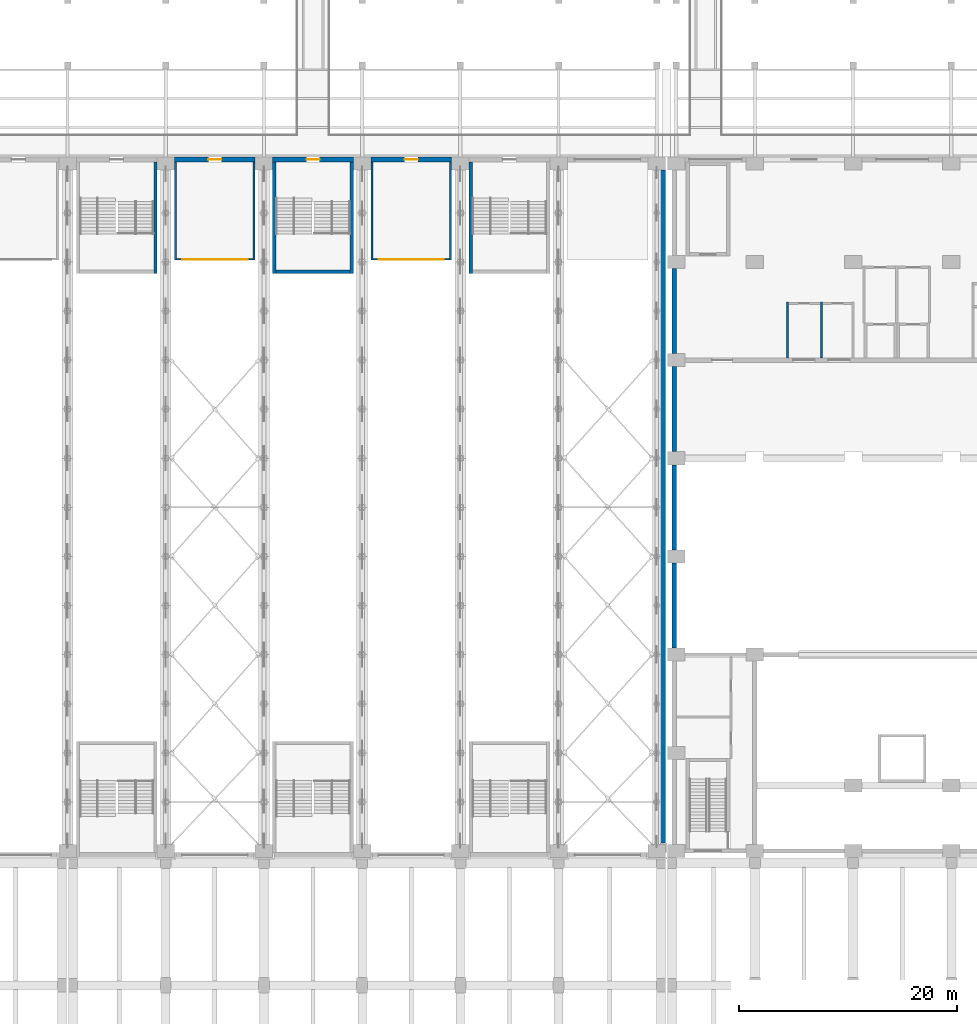
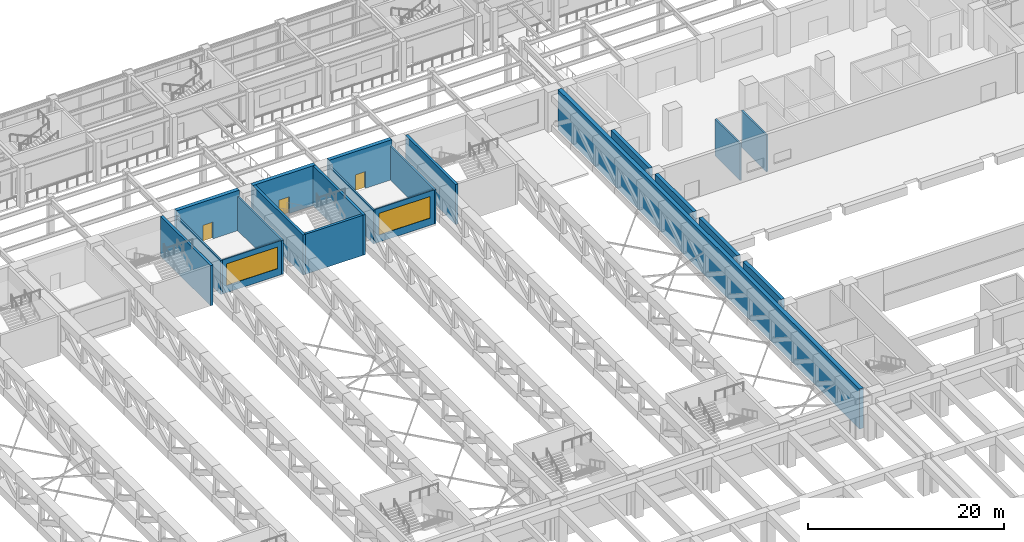
# One storey, part 36 of 76: 21 walls, 3 doors, 2 windows, 5 openings.
"""IFC4 building model written with IfcOpenShell, lengths in metres."""

from ifc_helpers import new_model, si_unit, direction, frame, frame_2d, origin, place, context, subcontext, project, spatial, rectangle, extrude, material, layer, layer_set, type_object, element, fill, save


model = new_model("IFC4")

# Units and contexts
model_context = context("Model", 3, precision=1e-05, world=origin(), true_north=direction((0.0, 1.0)))
body_context = subcontext(model_context, "Body", "Model", "MODEL_VIEW")
ifc_project = project(units=[si_unit("LENGTHUNIT", "METRE"), si_unit("AREAUNIT", "SQUARE_METRE"), si_unit("VOLUMEUNIT", "CUBIC_METRE"), si_unit("PLANEANGLEUNIT", "RADIAN"), si_unit("MASSUNIT", "GRAM", prefix="KILO")], contexts=[model_context])

# Site, building, storey
site_placement = place(None, origin())
site = spatial("IfcSite", under=ifc_project, at=site_placement, CompositionType="ELEMENT")
building_placement = place(site_placement, origin())
building = spatial("IfcBuilding", under=site, at=building_placement, Name="Aravalli Gate Trade Fair Centre", CompositionType="ELEMENT")
storey_placement = place(building_placement, frame((0.0, 0.0, 10.0)))
storey = spatial("IfcBuildingStorey", under=building, at=storey_placement, Name="L02", CompositionType="ELEMENT", Elevation=10.0)

# Walls
ifc_material_1 = material(Name="Concrete M40", Category="concrete")
ifc_layer_1 = layer(ifc_material_1, 0.25, Name="Structural wall")
ifc_material_2 = material(Name="Ventilated air cavity")
ifc_layer_2 = layer(ifc_material_2, 0.050048828125, ventilated=True, Name="Ventilated cavity")
ifc_material_3 = material(Name="Terracotta rainscreen", Category="masonry")
ifc_layer_3 = layer(ifc_material_3, 0.10009765625, Name="Rainscreen cladding")
ifc_layer_set_1 = layer_set([ifc_layer_1, ifc_layer_2, ifc_layer_3], Name="Congress external wall 400")
wall_type_1 = type_object("IfcWallType", Name="Congress external wall 400", PredefinedType="SOLIDWALL", material=ifc_layer_set_1)
for number, where, z_axis, x_axis, name in (
    (1, (106.60009765625, 64.60009765625, 0.0), (0.0, 0.0, 1.0), (0.0, 1.0, 0.0), "West wall L02 bay 3"),
    (2, (106.60009765625, 73.60009765625, 0.0), (0.0, 0.0, 1.0), (0.0, 1.0, 0.0), "West wall L02 bay 4"),
    (3, (106.60009765625, 82.60009765625, 0.0), (0.0, 0.0, 1.0), (0.0, 1.0, 0.0), "West wall L02 bay 5"),
    (4, (106.60009765625, 91.60009765625, 0.0), (0.0, 0.0, 1.0), (0.0, 1.0, 0.0), "West wall L02 bay 6"),
):
    element("IfcWall", number, at=place(storey_placement, frame(where, z_axis=z_axis, x_axis=x_axis)), inside=storey, type_object=wall_type_1, Name=name, PredefinedType="SOLIDWALL", context=body_context, shape_type="SweptSolid", body=[
        extrude(rectangle(XDim=7.7998046875, YDim=0.39990234375, at=frame_2d((3.89990234375, 0.0))), origin(), (0.0, 0.0, 1.0), 5.0),
    ])
ifc_material_4 = material(Name="Concrete block masonry", Category="masonry")
ifc_layer_4 = layer(ifc_material_4, 0.199951171875)
ifc_layer_set_2 = layer_set([ifc_layer_4], Name="Concrete block masonry")
wall_type_2 = type_object("IfcWallType", Name="Congress partition 200", PredefinedType="PARTITIONING", material=ifc_layer_set_2)
for number, where, z_axis, x_axis, name in (
    (5, (117.0, 91.199951171875, 0.0), (0.0, 0.0, 1.0), (0.0, 1.0, 0.0), "Interpreters booth wall 1"),
    (6, (120.10009765625, 91.199951171875, 0.0), (0.0, 0.0, 1.0), (0.0, 1.0, 0.0), "Interpreters booth wall 2"),
):
    element("IfcWall", number, at=place(storey_placement, frame(where, z_axis=z_axis, x_axis=x_axis)), inside=storey, type_object=wall_type_2, Name=name, PredefinedType="PARTITIONING", context=body_context, shape_type="SweptSolid", body=[
        extrude(rectangle(XDim=5.10009765625, YDim=0.199951171875, at=frame_2d((2.550048828125, 0.0))), origin(), (0.0, 0.0, 1.0), 4.60009765625),
    ])

# Wall, opening, door
ifc_layer_5 = layer(ifc_material_1, 0.25, Name="Structural wall")
ifc_layer_6 = layer(ifc_material_2, 0.10009765625, ventilated=True, Name="Ventilated cavity")
ifc_layer_7 = layer(ifc_material_3, 0.10009765625, Name="Rainscreen cladding")
ifc_layer_set_3 = layer_set([ifc_layer_5, ifc_layer_6, ifc_layer_7], Name="Hall external wall 450")
wall_type_3 = type_object("IfcWallType", Name="Hall external wall 450", PredefinedType="SOLIDWALL", material=ifc_layer_set_3)
wall_1_placement = place(storey_placement, frame((60.800048828125, 109.375, 0.0), z_axis=(0.0, 0.0, 1.0), x_axis=(1.0, 0.0, 0.0)))
wall_1 = element("IfcWall", 7, at=wall_1_placement, inside=storey, type_object=wall_type_3, Name="Hall north wall bay 7 L02", PredefinedType="SOLIDWALL", context=body_context, shape_type="SweptSolid", body=[
    extrude(rectangle(XDim=7.39990234375, YDim=0.449951171875, at=frame_2d((3.699951171875, 0.0))), origin(), (0.0, 0.0, 1.0), 5.0),
])
opening_1_placement = place(wall_1_placement, frame((3.10009765625, 0.0, 0.0)))
opening_1 = element("IfcOpeningElement", 8, at=opening_1_placement, cuts=wall_1, Name="Opening H-L02-08", PredefinedType="OPENING", context=body_context, shape_type="SweptSolid", body=[
    extrude(rectangle(XDim=1.199951171875, YDim=2.10009765625, at=frame_2d((0.60009765625, 1.050048828125))), frame((0.0, 0.23486328125, 0.0), z_axis=(0.0, -1.0, 0.0), x_axis=(1.0, 0.0, 0.0)), (0.0, 0.0, 1.0), 0.469970703125),
])
ifc_material_5 = material(Name="Steel", Category="steel")
door_type_1 = type_object("IfcDoorType", Name="Meeting room door FD60", OperationType="SINGLE_SWING_LEFT", PredefinedType="DOOR", material=ifc_material_5)
door_1_placement = place(opening_1_placement, frame((1.199951171875, 0.0, 0.0), z_axis=(0.0, 0.0, 1.0), x_axis=(-1.0, 0.0, 0.0)))
door_1 = element("IfcDoor", 9, at=door_1_placement, inside=storey, type_object=door_type_1, Name="Meeting room 9 door", OperationType="SINGLE_SWING_RIGHT", OverallHeight=2.10009765625, OverallWidth=1.199951171875, PredefinedType="DOOR", context=body_context, shape_type="SweptSolid", body=[
    extrude(rectangle(XDim=1.199951171875, YDim=2.10009765625, at=frame_2d((0.60009765625, 1.050048828125))), frame((0.0, 0.02490234375, 0.0), z_axis=(0.0, -1.0, 0.0), x_axis=(1.0, 0.0, 0.0)), (0.0, 0.0, 1.0), 0.050048828125),
])
fill(opening_1, door_1)

wall_2_placement = place(storey_placement, frame((69.800048828125, 109.375, 0.0), z_axis=(0.0, 0.0, 1.0), x_axis=(1.0, 0.0, 0.0)))
wall_2 = element("IfcWall", 10, at=wall_2_placement, inside=storey, type_object=wall_type_3, Name="Hall north wall bay 8 L02", PredefinedType="SOLIDWALL", context=body_context, shape_type="SweptSolid", body=[
    extrude(rectangle(XDim=7.39990234375, YDim=0.449951171875, at=frame_2d((3.699951171875, 0.0))), origin(), (0.0, 0.0, 1.0), 5.0),
])
opening_2_placement = place(wall_2_placement, frame((3.10009765625, 0.0, 0.0)))
opening_2 = element("IfcOpeningElement", 11, at=opening_2_placement, cuts=wall_2, Name="Opening H-L02-04", PredefinedType="OPENING", context=body_context, shape_type="SweptSolid", body=[
    extrude(rectangle(XDim=1.199951171875, YDim=2.10009765625, at=frame_2d((0.60009765625, 1.050048828125))), frame((0.0, 0.23486328125, 0.0), z_axis=(0.0, -1.0, 0.0), x_axis=(1.0, 0.0, 0.0)), (0.0, 0.0, 1.0), 0.469970703125),
])
door_type_2 = type_object("IfcDoorType", Name="Hall stair gallery door FD120", OperationType="SINGLE_SWING_LEFT", PredefinedType="DOOR", material=ifc_material_5)
door_2_placement = place(opening_2_placement, frame((1.199951171875, 0.0, 0.0), z_axis=(0.0, 0.0, 1.0), x_axis=(-1.0, 0.0, 0.0)))
door_2 = element("IfcDoor", 12, at=door_2_placement, inside=storey, type_object=door_type_2, Name="Stair door ST-N08 L02 gallery", OperationType="SINGLE_SWING_RIGHT", OverallHeight=2.10009765625, OverallWidth=1.199951171875, PredefinedType="DOOR", context=body_context, shape_type="SweptSolid", body=[
    extrude(rectangle(XDim=1.199951171875, YDim=2.10009765625, at=frame_2d((0.60009765625, 1.050048828125))), frame((0.0, 0.02490234375, 0.0), z_axis=(0.0, -1.0, 0.0), x_axis=(1.0, 0.0, 0.0)), (0.0, 0.0, 1.0), 0.050048828125),
])
fill(opening_2, door_2)

wall_3_placement = place(storey_placement, frame((78.800048828125, 109.375, 0.0), z_axis=(0.0, 0.0, 1.0), x_axis=(1.0, 0.0, 0.0)))
wall_3 = element("IfcWall", 13, at=wall_3_placement, inside=storey, type_object=wall_type_3, Name="Hall north wall bay 9 L02", PredefinedType="SOLIDWALL", context=body_context, shape_type="SweptSolid", body=[
    extrude(rectangle(XDim=7.39990234375, YDim=0.449951171875, at=frame_2d((3.699951171875, 0.0))), origin(), (0.0, 0.0, 1.0), 5.0),
])
opening_3_placement = place(wall_3_placement, frame((3.10009765625, 0.0, 0.0)))
opening_3 = element("IfcOpeningElement", 14, at=opening_3_placement, cuts=wall_3, Name="Opening H-L02-09", PredefinedType="OPENING", context=body_context, shape_type="SweptSolid", body=[
    extrude(rectangle(XDim=1.199951171875, YDim=2.10009765625, at=frame_2d((0.60009765625, 1.050048828125))), frame((0.0, 0.23486328125, 0.0), z_axis=(0.0, -1.0, 0.0), x_axis=(1.0, 0.0, 0.0)), (0.0, 0.0, 1.0), 0.469970703125),
])
door_3_placement = place(opening_3_placement, frame((1.199951171875, 0.0, 0.0), z_axis=(0.0, 0.0, 1.0), x_axis=(-1.0, 0.0, 0.0)))
door_3 = element("IfcDoor", 15, at=door_3_placement, inside=storey, type_object=door_type_1, Name="Meeting room 10 door", OperationType="SINGLE_SWING_LEFT", OverallHeight=2.10009765625, OverallWidth=1.199951171875, PredefinedType="DOOR", context=body_context, shape_type="SweptSolid", body=[
    extrude(rectangle(XDim=1.199951171875, YDim=2.10009765625, at=frame_2d((0.60009765625, 1.050048828125))), frame((0.0, 0.02490234375, 0.0), z_axis=(0.0, -1.0, 0.0), x_axis=(1.0, 0.0, 0.0)), (0.0, 0.0, 1.0), 0.050048828125),
])
fill(opening_3, door_3)

# Wall
wall_4_placement = place(storey_placement, frame((105.574951171875, 46.75, 0.0), z_axis=(0.0, 0.0, 1.0), x_axis=(0.0, 1.0, 0.0)))
element("IfcWall", 16, at=wall_4_placement, inside=storey, type_object=wall_type_3, Name="Hall east wall L02", PredefinedType="SOLIDWALL", context=body_context, shape_type="SweptSolid", body=[
    extrude(rectangle(XDim=61.64990234375, YDim=0.449951171875, at=frame_2d((30.824951171875, 0.0))), origin(), (0.0, 0.0, 1.0), 5.0),
])

# Wall, opening, window
ifc_material_6 = material(Name="Steel E350 (350 MPa)", Category="steel")
ifc_layer_8 = layer(ifc_material_6, 0.14990234375)
ifc_layer_set_4 = layer_set([ifc_layer_8], Name="Steel E350 (350 MPa)")
wall_type_4 = type_object("IfcWallType", Name="Meeting room glazed front wall 150", PredefinedType="PARTITIONING", material=ifc_layer_set_4)
wall_5_placement = place(storey_placement, frame((61.0, 100.22509765625, 0.0), z_axis=(0.0, 0.0, 1.0), x_axis=(1.0, 0.0, 0.0)))
wall_5 = element("IfcWall", 17, at=wall_5_placement, inside=storey, type_object=wall_type_4, Name="Meeting room 9 front wall", PredefinedType="PARTITIONING", context=body_context, shape_type="SweptSolid", body=[
    extrude(rectangle(XDim=7.0, YDim=0.14990234375, at=frame_2d((3.5, 0.0))), origin(), (0.0, 0.0, 1.0), 4.25),
])
opening_4_placement = place(wall_5_placement, frame((0.5, 0.0, 0.89990234375)))
opening_4 = element("IfcOpeningElement", 18, at=opening_4_placement, cuts=wall_5, Name="Opening WM1", PredefinedType="OPENING", context=body_context, shape_type="SweptSolid", body=[
    extrude(rectangle(XDim=6.0, YDim=2.699951171875, at=frame_2d((3.0, 1.35009765625))), frame((0.0, 0.0849609375, 0.0), z_axis=(0.0, -1.0, 0.0), x_axis=(1.0, 0.0, 0.0)), (0.0, 0.0, 1.0), 0.169921875),
])
ifc_material_7 = material(Name="Glass in steel frame", Category="steel")
window_type = type_object("IfcWindowType", Name="Meeting room window 6000x2700", PartitioningType="TRIPLE_PANEL_VERTICAL", PredefinedType="WINDOW", material=ifc_material_7)
window_1_placement = place(opening_4_placement, origin())
window_1 = element("IfcWindow", 19, at=window_1_placement, inside=storey, type_object=window_type, Name="Meeting room 9 window", OverallHeight=2.699951171875, OverallWidth=6.0, PartitioningType="TRIPLE_PANEL_VERTICAL", PredefinedType="WINDOW", context=body_context, shape_type="SweptSolid", body=[
    extrude(rectangle(XDim=6.0, YDim=2.699951171875, at=frame_2d((3.0, 1.35009765625))), frame((0.0, 0.030029296875, 0.0), z_axis=(0.0, -1.0, 0.0), x_axis=(1.0, 0.0, 0.0)), (0.0, 0.0, 1.0), 0.06005859375),
])
fill(opening_4, window_1)

wall_6_placement = place(storey_placement, frame((79.0, 100.22509765625, 0.0), z_axis=(0.0, 0.0, 1.0), x_axis=(1.0, 0.0, 0.0)))
wall_6 = element("IfcWall", 20, at=wall_6_placement, inside=storey, type_object=wall_type_4, Name="Meeting room 10 front wall", PredefinedType="PARTITIONING", context=body_context, shape_type="SweptSolid", body=[
    extrude(rectangle(XDim=7.0, YDim=0.14990234375, at=frame_2d((3.5, 0.0))), origin(), (0.0, 0.0, 1.0), 4.25),
])
opening_5_placement = place(wall_6_placement, frame((0.5, 0.0, 0.89990234375)))
opening_5 = element("IfcOpeningElement", 21, at=opening_5_placement, cuts=wall_6, Name="Opening WM1", PredefinedType="OPENING", context=body_context, shape_type="SweptSolid", body=[
    extrude(rectangle(XDim=6.0, YDim=2.699951171875, at=frame_2d((3.0, 1.35009765625))), frame((0.0, 0.0849609375, 0.0), z_axis=(0.0, -1.0, 0.0), x_axis=(1.0, 0.0, 0.0)), (0.0, 0.0, 1.0), 0.169921875),
])
window_2_placement = place(opening_5_placement, origin())
window_2 = element("IfcWindow", 22, at=window_2_placement, inside=storey, type_object=window_type, Name="Meeting room 10 window", OverallHeight=2.699951171875, OverallWidth=6.0, PartitioningType="TRIPLE_PANEL_VERTICAL", PredefinedType="WINDOW", context=body_context, shape_type="SweptSolid", body=[
    extrude(rectangle(XDim=6.0, YDim=2.699951171875, at=frame_2d((3.0, 1.35009765625))), frame((0.0, 0.030029296875, 0.0), z_axis=(0.0, -1.0, 0.0), x_axis=(1.0, 0.0, 0.0)), (0.0, 0.0, 1.0), 0.06005859375),
])
fill(opening_5, window_2)

# Walls
ifc_layer_9 = layer(ifc_material_1, 0.199951171875)
ifc_layer_set_5 = layer_set([ifc_layer_9], Name="Concrete M40")
wall_type_5 = type_object("IfcWallType", Name="Meeting room side wall RC 200", PredefinedType="SHEAR", material=ifc_layer_set_5)
for number, where, z_axis, x_axis, name in (
    (23, (60.89990234375, 100.14990234375, 0.0), (0.0, 0.0, 1.0), (0.0, 1.0, 0.0), "Meeting room 9 side wall W"),
    (24, (68.10009765625, 100.14990234375, 0.0), (0.0, 0.0, 1.0), (0.0, 1.0, 0.0), "Meeting room 9 side wall E"),
    (25, (78.89990234375, 100.14990234375, 0.0), (0.0, 0.0, 1.0), (0.0, 1.0, 0.0), "Meeting room 10 side wall W"),
    (26, (86.10009765625, 100.14990234375, 0.0), (0.0, 0.0, 1.0), (0.0, 1.0, 0.0), "Meeting room 10 side wall E"),
):
    element("IfcWall", number, at=place(storey_placement, frame(where, z_axis=z_axis, x_axis=x_axis)), inside=storey, type_object=wall_type_5, Name=name, PredefinedType="SHEAR", context=body_context, shape_type="SweptSolid", body=[
        extrude(rectangle(XDim=9.0, YDim=0.199951171875, at=frame_2d((4.5, 0.0))), origin(), (0.0, 0.0, 1.0), 4.25),
    ])
ifc_layer_10 = layer(ifc_material_1, 0.300048828125)
ifc_layer_set_6 = layer_set([ifc_layer_10], Name="Concrete M40")
wall_type_6 = type_object("IfcWallType", Name="Stair tower wall RC 300", PredefinedType="SHEAR", material=ifc_layer_set_6)
for number, where, z_axis, x_axis, name in (
    (27, (59.050048828125, 109.14990234375, 0.0), (0.0, 0.0, 1.0), (0.0, -1.0, 0.0), "Stair tower N06 wall E L02"),
    (28, (69.949951171875, 109.14990234375, 0.0), (0.0, 0.0, 1.0), (0.0, -1.0, 0.0), "Stair tower N08 wall W L02"),
    (29, (77.050048828125, 109.14990234375, 0.0), (0.0, 0.0, 1.0), (0.0, -1.0, 0.0), "Stair tower N08 wall E L02"),
):
    element("IfcWall", number, at=place(storey_placement, frame(where, z_axis=z_axis, x_axis=x_axis)), inside=storey, type_object=wall_type_6, Name=name, PredefinedType="SHEAR", context=body_context, shape_type="SweptSolid", body=[
        extrude(rectangle(XDim=10.199951171875, YDim=0.300048828125, at=frame_2d((5.10009765625, 0.0))), origin(), (0.0, 0.0, 1.0), 5.0),
    ])
wall_7_placement = place(storey_placement, frame((70.10009765625, 99.10009765625, 0.0), z_axis=(0.0, 0.0, 1.0), x_axis=(1.0, 0.0, 0.0)))
element("IfcWall", 30, at=wall_7_placement, inside=storey, type_object=wall_type_6, Name="Stair tower N08 wall F L02", PredefinedType="SHEAR", context=body_context, shape_type="SweptSolid", body=[
    extrude(rectangle(XDim=6.7998046875, YDim=0.300048828125, at=frame_2d((3.39990234375, 0.0))), origin(), (0.0, 0.0, 1.0), 5.0),
])
wall_8_placement = place(storey_placement, frame((87.949951171875, 109.14990234375, 0.0), z_axis=(0.0, 0.0, 1.0), x_axis=(0.0, -1.0, 0.0)))
element("IfcWall", 31, at=wall_8_placement, inside=storey, type_object=wall_type_6, Name="Stair tower N10 wall W L02", PredefinedType="SHEAR", context=body_context, shape_type="SweptSolid", body=[
    extrude(rectangle(XDim=10.199951171875, YDim=0.300048828125, at=frame_2d((5.10009765625, 0.0))), origin(), (0.0, 0.0, 1.0), 5.0),
])

save(model, "model.ifc")
